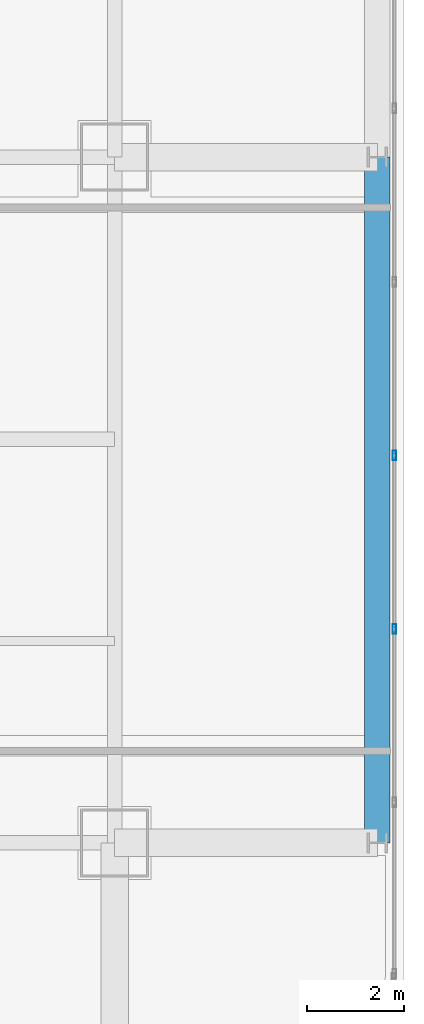
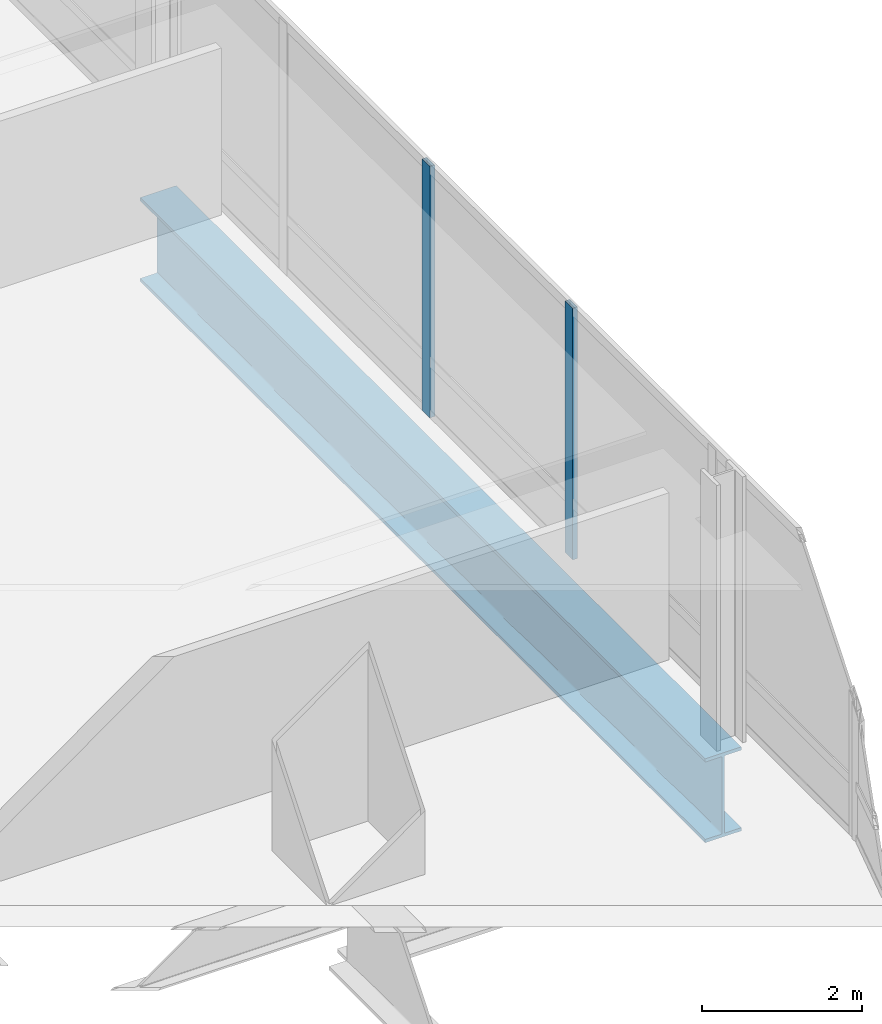
# One storey, part 15 of 36: 2 members, 1 beam, 1 element without a shape of its own.
"""IFC4 building model written with IfcOpenShell, lengths in metres."""

from ifc_helpers import new_model, si_unit, direction, frame, origin, origin_2d, place, context, subcontext, project, spatial, hollow_rectangle, i_section, extrude, material, material_profile, profile_set, type_object, element, aggregate, save


model = new_model("IFC4")

# Units and contexts
model_context = context("Model", 3, precision=1e-05, world=origin(), true_north=direction((0.0, 1.0)))
body_context = subcontext(model_context, "Body", "Model", "MODEL_VIEW")
ifc_project = project(units=[si_unit("LENGTHUNIT", "METRE"), si_unit("AREAUNIT", "SQUARE_METRE"), si_unit("VOLUMEUNIT", "CUBIC_METRE"), si_unit("PLANEANGLEUNIT", "RADIAN"), si_unit("MASSUNIT", "GRAM", prefix="KILO")], contexts=[model_context])

# Site, building, storey
site_placement = place(None, origin())
site = spatial("IfcSite", under=ifc_project, at=site_placement, CompositionType="ELEMENT")
building_placement = place(site_placement, origin())
building = spatial("IfcBuilding", under=site, at=building_placement, Name="Punatoya Terracotta Tower", CompositionType="ELEMENT")
storey_placement = place(building_placement, frame((0.0, 0.0, 208.64990234375)))
storey = spatial("IfcBuildingStorey", under=building, at=storey_placement, Name="L49", CompositionType="ELEMENT", Elevation=208.64990234375)

# Beam
ifc_material_1 = material(Name="Steel S460", Category="steel")
ifc_material_profile_1 = material_profile(ifc_material_1, i_section(OverallWidth=0.52001953125, OverallDepth=1.280029296875, WebThickness=0.031982421875, FlangeThickness=0.050048828125, FilletRadius=0.01806640625, at=origin_2d()))
ifc_profile_set_1 = profile_set([ifc_material_profile_1], Name="Steel S460")
beam_type = type_object("IfcBeamType", Name="BM-TG-NCK", PredefinedType="BEAM", material=ifc_profile_set_1)
beam_placement = place(storey_placement, frame((24.5, -17.5, -0.85986328125), z_axis=(0.0, 1.0, 0.0), x_axis=(-1.0, 0.0, 0.0)))
element("IfcBeam", 1, at=beam_placement, inside=storey, type_object=beam_type, Name="BM-L49-PER-E1", PredefinedType="BEAM", context=body_context, shape_type="SweptSolid", body=[
    extrude(i_section(OverallWidth=0.52001953125, OverallDepth=1.280029296875, WebThickness=0.031982421875, FlangeThickness=0.050048828125, FilletRadius=0.01806640625, at=origin_2d()), origin(), (0.0, 0.0, 1.0), 14.10009765625),
])

# Curtain wall, members
ifc_material_2 = material(Name="Aluminium 6063-T6 + Double Low-E Glass", Category="aluminium")
curtain_wall_type = type_object("IfcCurtainWallType", Name="CW-M2", PredefinedType="NOTDEFINED", material=ifc_material_2)
curtain_wall_placement = place(storey_placement, origin())
curtain_wall = element("IfcCurtainWall", 2, at=curtain_wall_placement, inside=storey, type_object=curtain_wall_type, Name="L49 Curtain Wall CW-L49-E05-1", PredefinedType="NOTDEFINED")
ifc_material_3 = material(Name="Aluminium 6063-T6", Category="aluminium")
ifc_material_profile_2 = material_profile(ifc_material_3, hollow_rectangle(XDim=0.072021484375, YDim=0.195068359375, WallThickness=0.00439453125, at=origin_2d()))
ifc_profile_set_2 = profile_set([ifc_material_profile_2], Name="Aluminium 6063-T6")
member_type = type_object("IfcMemberType", Name="CW-MUL-M2", PredefinedType="MULLION", material=ifc_profile_set_2)
member_1_placement = place(storey_placement, frame((24.85009765625, -13.10205078125, 0.0), z_axis=(0.0, 0.0, 1.0), x_axis=(1.0, 0.0, 0.0)))
member_1 = element("IfcMember", 3, at=member_1_placement, type_object=member_type, Name="CW-L49-E05-1 Mullion 02", PredefinedType="MULLION", context=body_context, shape_type="SweptSolid", body=[
    extrude(hollow_rectangle(XDim=0.072021484375, YDim=0.195068359375, WallThickness=0.00439453125, at=origin_2d()), origin(), (0.0, 0.0, 1.0), 3.830078125),
])
member_2_placement = place(storey_placement, frame((24.85009765625, -9.534912109375, 0.0), z_axis=(0.0, 0.0, 1.0), x_axis=(1.0, 0.0, 0.0)))
member_2 = element("IfcMember", 4, at=member_2_placement, type_object=member_type, Name="CW-L49-E05-1 Mullion 03", PredefinedType="MULLION", context=body_context, shape_type="SweptSolid", body=[
    extrude(hollow_rectangle(XDim=0.072021484375, YDim=0.195068359375, WallThickness=0.00439453125, at=origin_2d()), origin(), (0.0, 0.0, 1.0), 3.830078125),
])
aggregate(curtain_wall, [member_1, member_2])

save(model, "model.ifc")
